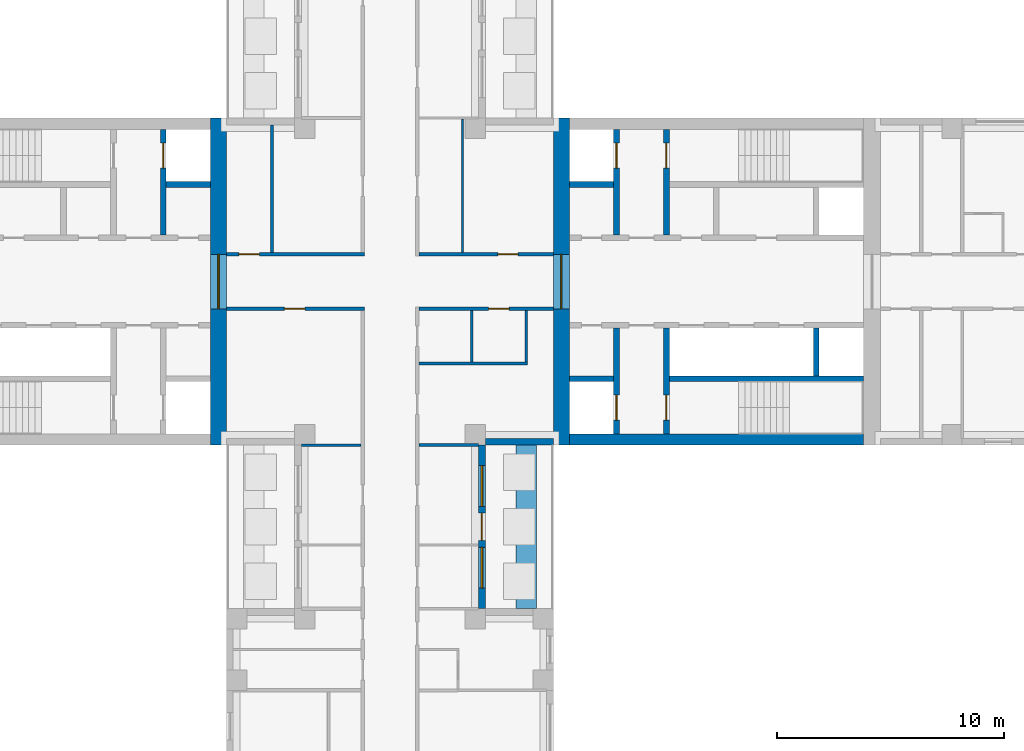
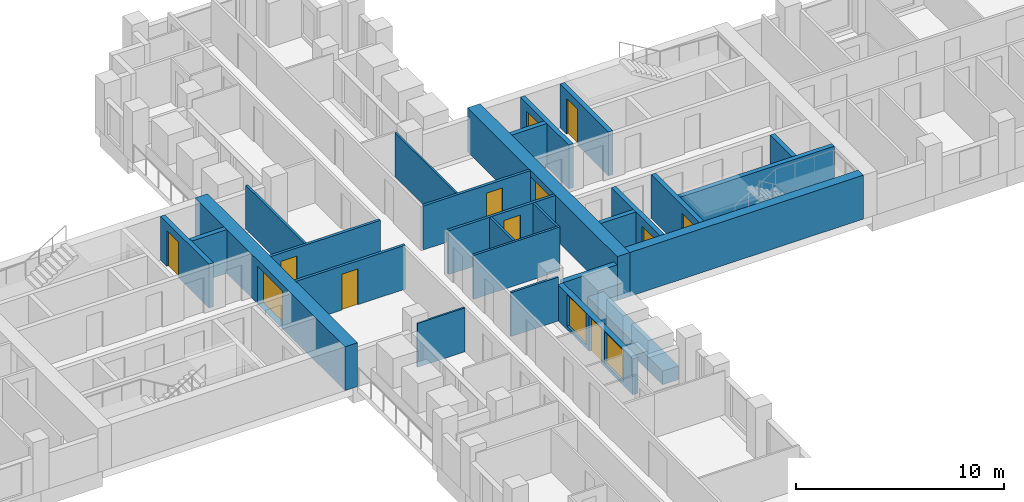
# One storey, part 7 of 13: 27 walls, 12 doors, 2 windows, 14 openings.
"""IFC4 building model written with IfcOpenShell, lengths in metres."""

from ifc_helpers import new_model, si_unit, direction, frame, frame_2d, origin, place, context, subcontext, project, spatial, rectangle, extrude, material, layer, layer_set, type_object, element, fill, save


model = new_model("IFC4")

# Units and contexts
model_context = context("Model", 3, precision=1e-05, world=origin(), true_north=direction((0.0, 1.0)))
body_context = subcontext(model_context, "Body", "Model", "MODEL_VIEW")
ifc_project = project(units=[si_unit("LENGTHUNIT", "METRE"), si_unit("AREAUNIT", "SQUARE_METRE"), si_unit("VOLUMEUNIT", "CUBIC_METRE"), si_unit("PLANEANGLEUNIT", "RADIAN"), si_unit("MASSUNIT", "GRAM", prefix="KILO")], contexts=[model_context])

# Site, building, storey
site_placement = place(None, origin())
site = spatial("IfcSite", under=ifc_project, at=site_placement, CompositionType="ELEMENT")
building_placement = place(site_placement, origin())
building = spatial("IfcBuilding", under=site, at=building_placement, Name="Fustian Cross Tower", CompositionType="ELEMENT")
storey_placement = place(building_placement, frame((0.0, 0.0, 75.89990234375)))
storey = spatial("IfcBuildingStorey", under=building, at=storey_placement, Name="L23", CompositionType="ELEMENT", Elevation=75.89990234375)

# Wall, opening, door
ifc_material_1 = material(Name="Plasterboard on steel stud", Category="steel")
ifc_layer_1 = layer(ifc_material_1, 0.14990234375)
ifc_layer_set_1 = layer_set([ifc_layer_1], Name="Plasterboard on steel stud")
wall_type_1 = type_object("IfcWallType", Name="COMPARTMENT WALL 150 EI 60", PredefinedType="PARTITIONING", material=ifc_layer_set_1)
wall_1_placement = place(storey_placement, frame((-7.199951171875, -1.199951171875, 0.0), z_axis=(0.0, 0.0, 1.0), x_axis=(1.0, 0.0, 0.0)))
wall_1 = element("IfcWall", 1, at=wall_1_placement, inside=storey, type_object=wall_type_1, Name="Partition 11", PredefinedType="PARTITIONING", context=body_context, shape_type="SweptSolid", body=[
    extrude(rectangle(XDim=6.074951171875, YDim=0.14990234375, at=frame_2d((3.03759765625, 0.0))), origin(), (0.0, 0.0, 1.0), 2.5751953125),
])
opening_1_placement = place(wall_1_placement, frame((2.550048828125, 0.0, 0.0)))
opening_1 = element("IfcOpeningElement", 2, at=opening_1_placement, cuts=wall_1, Name="Opening D12008", PredefinedType="OPENING", context=body_context, shape_type="SweptSolid", body=[
    extrude(rectangle(XDim=0.89990234375, YDim=2.10009765625, at=frame_2d((0.449951171875, 1.050048828125))), frame((0.0, 0.0849609375, 0.0), z_axis=(0.0, -1.0, 0.0), x_axis=(1.0, 0.0, 0.0)), (0.0, 0.0, 1.0), 0.169921875),
])
ifc_material_2 = material(Name="Timber fire door set", Category="wood")
door_type_1 = type_object("IfcDoorType", Name="FIRE SWING DOOR 900 FD30S", OperationType="SINGLE_SWING_LEFT", PredefinedType="DOOR", material=ifc_material_2)
door_1_placement = place(opening_1_placement, frame((0.89990234375, 0.0, 0.0), z_axis=(0.0, 0.0, 1.0), x_axis=(-1.0, 0.0, 0.0)))
door_1 = element("IfcDoor", 3, at=door_1_placement, inside=storey, type_object=door_type_1, Name="Door D12008", OperationType="SINGLE_SWING_RIGHT", OverallHeight=2.10009765625, OverallWidth=0.89990234375, PredefinedType="DOOR", context=body_context, shape_type="SweptSolid", body=[
    extrude(rectangle(XDim=0.89990234375, YDim=2.10009765625, at=frame_2d((0.449951171875, 1.050048828125))), frame((0.0, 0.02490234375, 0.0), z_axis=(0.0, -1.0, 0.0), x_axis=(1.0, 0.0, 0.0)), (0.0, 0.0, 1.0), 0.050048828125),
])
fill(opening_1, door_1)

wall_2_placement = place(storey_placement, frame((-7.199951171875, 1.199951171875, 0.0), z_axis=(0.0, 0.0, 1.0), x_axis=(1.0, 0.0, 0.0)))
wall_2 = element("IfcWall", 4, at=wall_2_placement, inside=storey, type_object=wall_type_1, Name="Partition 12", PredefinedType="PARTITIONING", context=body_context, shape_type="SweptSolid", body=[
    extrude(rectangle(XDim=6.074951171875, YDim=0.14990234375, at=frame_2d((3.03759765625, 0.0))), origin(), (0.0, 0.0, 1.0), 2.5751953125),
])
opening_2_placement = place(wall_2_placement, frame((0.550048828125, 0.0, 0.0)))
opening_2 = element("IfcOpeningElement", 5, at=opening_2_placement, cuts=wall_2, Name="Opening D12004", PredefinedType="OPENING", context=body_context, shape_type="SweptSolid", body=[
    extrude(rectangle(XDim=0.89990234375, YDim=2.10009765625, at=frame_2d((0.449951171875, 1.050048828125))), frame((0.0, 0.0849609375, 0.0), z_axis=(0.0, -1.0, 0.0), x_axis=(1.0, 0.0, 0.0)), (0.0, 0.0, 1.0), 0.169921875),
])
door_2_placement = place(opening_2_placement, origin())
door_2 = element("IfcDoor", 6, at=door_2_placement, inside=storey, type_object=door_type_1, Name="Door D12004", OperationType="SINGLE_SWING_LEFT", OverallHeight=2.10009765625, OverallWidth=0.89990234375, PredefinedType="DOOR", context=body_context, shape_type="SweptSolid", body=[
    extrude(rectangle(XDim=0.89990234375, YDim=2.10009765625, at=frame_2d((0.449951171875, 1.050048828125))), frame((0.0, 0.02490234375, 0.0), z_axis=(0.0, -1.0, 0.0), x_axis=(1.0, 0.0, 0.0)), (0.0, 0.0, 1.0), 0.050048828125),
])
fill(opening_2, door_2)

wall_3_placement = place(storey_placement, frame((1.27490234375, -1.199951171875, 0.0), z_axis=(0.0, 0.0, 1.0), x_axis=(1.0, 0.0, 0.0)))
wall_3 = element("IfcWall", 7, at=wall_3_placement, inside=storey, type_object=wall_type_1, Name="Partition 45", PredefinedType="PARTITIONING", context=body_context, shape_type="SweptSolid", body=[
    extrude(rectangle(XDim=5.925048828125, YDim=0.14990234375, at=frame_2d((2.96240234375, 0.0))), origin(), (0.0, 0.0, 1.0), 2.5751953125),
])
opening_3_placement = place(wall_3_placement, frame((3.074951171875, 0.0, 0.0)))
opening_3 = element("IfcOpeningElement", 8, at=opening_3_placement, cuts=wall_3, Name="Opening D12006", PredefinedType="OPENING", context=body_context, shape_type="SweptSolid", body=[
    extrude(rectangle(XDim=0.89990234375, YDim=2.10009765625, at=frame_2d((0.449951171875, 1.050048828125))), frame((0.0, 0.0849609375, 0.0), z_axis=(0.0, -1.0, 0.0), x_axis=(1.0, 0.0, 0.0)), (0.0, 0.0, 1.0), 0.169921875),
])
door_3_placement = place(opening_3_placement, frame((0.89990234375, 0.0, 0.0), z_axis=(0.0, 0.0, 1.0), x_axis=(-1.0, 0.0, 0.0)))
door_3 = element("IfcDoor", 9, at=door_3_placement, inside=storey, type_object=door_type_1, Name="Door D12006", OperationType="SINGLE_SWING_RIGHT", OverallHeight=2.10009765625, OverallWidth=0.89990234375, PredefinedType="DOOR", context=body_context, shape_type="SweptSolid", body=[
    extrude(rectangle(XDim=0.89990234375, YDim=2.10009765625, at=frame_2d((0.449951171875, 1.050048828125))), frame((0.0, 0.02490234375, 0.0), z_axis=(0.0, -1.0, 0.0), x_axis=(1.0, 0.0, 0.0)), (0.0, 0.0, 1.0), 0.050048828125),
])
fill(opening_3, door_3)

wall_4_placement = place(storey_placement, frame((1.27490234375, 1.199951171875, 0.0), z_axis=(0.0, 0.0, 1.0), x_axis=(1.0, 0.0, 0.0)))
wall_4 = element("IfcWall", 10, at=wall_4_placement, inside=storey, type_object=wall_type_1, Name="Partition 47", PredefinedType="PARTITIONING", context=body_context, shape_type="SweptSolid", body=[
    extrude(rectangle(XDim=5.925048828125, YDim=0.14990234375, at=frame_2d((2.96240234375, 0.0))), origin(), (0.0, 0.0, 1.0), 2.5751953125),
])
opening_4_placement = place(wall_4_placement, frame((3.47509765625, 0.0, 0.0)))
opening_4 = element("IfcOpeningElement", 11, at=opening_4_placement, cuts=wall_4, Name="Opening D12002", PredefinedType="OPENING", context=body_context, shape_type="SweptSolid", body=[
    extrude(rectangle(XDim=0.89990234375, YDim=2.10009765625, at=frame_2d((0.449951171875, 1.050048828125))), frame((0.0, 0.0849609375, 0.0), z_axis=(0.0, -1.0, 0.0), x_axis=(1.0, 0.0, 0.0)), (0.0, 0.0, 1.0), 0.169921875),
])
door_4_placement = place(opening_4_placement, origin())
door_4 = element("IfcDoor", 12, at=door_4_placement, inside=storey, type_object=door_type_1, Name="Door D12002", OperationType="SINGLE_SWING_LEFT", OverallHeight=2.10009765625, OverallWidth=0.89990234375, PredefinedType="DOOR", context=body_context, shape_type="SweptSolid", body=[
    extrude(rectangle(XDim=0.89990234375, YDim=2.10009765625, at=frame_2d((0.449951171875, 1.050048828125))), frame((0.0, 0.02490234375, 0.0), z_axis=(0.0, -1.0, 0.0), x_axis=(1.0, 0.0, 0.0)), (0.0, 0.0, 1.0), 0.050048828125),
])
fill(opening_4, door_4)

ifc_material_3 = material(Name="Concrete C70/85", Category="concrete")
ifc_layer_2 = layer(ifc_material_3, 0.699951171875)
ifc_layer_set_2 = layer_set([ifc_layer_2], Name="Concrete C70/85")
wall_type_2 = type_object("IfcWallType", Name="CORE END WALL 700 C70/85", PredefinedType="SHEAR", material=ifc_layer_set_2)
wall_5_placement = place(storey_placement, frame((7.550048828125, -7.199951171875, 0.0), z_axis=(0.0, 0.0, 1.0), x_axis=(0.0, 1.0, 0.0)))
wall_5 = element("IfcWall", 13, at=wall_5_placement, inside=storey, type_object=wall_type_2, Name="Core end wall", PredefinedType="SHEAR", context=body_context, shape_type="SweptSolid", body=[
    extrude(rectangle(XDim=14.39990234375, YDim=0.699951171875, at=frame_2d((7.199951171875, 0.0))), origin(), (0.0, 0.0, 1.0), 2.5751953125),
])
opening_5_placement = place(wall_5_placement, frame((6.0, 0.0, 0.0)))
opening_5 = element("IfcOpeningElement", 14, at=opening_5_placement, cuts=wall_5, Name="Opening CD-10-12", PredefinedType="OPENING", context=body_context, shape_type="SweptSolid", body=[
    extrude(rectangle(XDim=2.39990234375, YDim=2.199951171875, at=frame_2d((1.199951171875, 1.10009765625))), frame((0.0, 0.35986328125, 0.0), z_axis=(0.0, -1.0, 0.0), x_axis=(1.0, 0.0, 0.0)), (0.0, 0.0, 1.0), 0.719970703125),
])
ifc_material_4 = material(Name="Steel", Category="steel")
door_type_2 = type_object("IfcDoorType", Name="FIRE DOOR FD30S DOUBLE 2400X2200", OperationType="DOUBLE_DOOR_DOUBLE_SWING", PredefinedType="DOOR", material=ifc_material_4)
door_5_placement = place(opening_5_placement, frame((2.39990234375, 0.0, 0.0), z_axis=(0.0, 0.0, 1.0), x_axis=(-1.0, 0.0, 0.0)))
door_5 = element("IfcDoor", 15, at=door_5_placement, inside=storey, type_object=door_type_2, Name="Core door CD-10-12", OperationType="DOUBLE_DOOR_DOUBLE_SWING", OverallHeight=2.199951171875, OverallWidth=2.39990234375, PredefinedType="DOOR", context=body_context, shape_type="SweptSolid", body=[
    extrude(rectangle(XDim=2.39990234375, YDim=2.199951171875, at=frame_2d((1.199951171875, 1.10009765625))), frame((0.0, 0.02490234375, 0.0), z_axis=(0.0, -1.0, 0.0), x_axis=(1.0, 0.0, 0.0)), (0.0, 0.0, 1.0), 0.050048828125),
])
fill(opening_5, door_5)

wall_6_placement = place(storey_placement, frame((-7.550048828125, -7.199951171875, 0.0), z_axis=(0.0, 0.0, 1.0), x_axis=(0.0, 1.0, 0.0)))
wall_6 = element("IfcWall", 16, at=wall_6_placement, inside=storey, type_object=wall_type_2, Name="Core end wall", PredefinedType="SHEAR", context=body_context, shape_type="SweptSolid", body=[
    extrude(rectangle(XDim=14.39990234375, YDim=0.699951171875, at=frame_2d((7.199951171875, 0.0))), origin(), (0.0, 0.0, 1.0), 2.5751953125),
])
opening_6_placement = place(wall_6_placement, frame((6.0, 0.0, 0.0)))
opening_6 = element("IfcOpeningElement", 17, at=opening_6_placement, cuts=wall_6, Name="Opening CD-10-27", PredefinedType="OPENING", context=body_context, shape_type="SweptSolid", body=[
    extrude(rectangle(XDim=2.39990234375, YDim=2.199951171875, at=frame_2d((1.199951171875, 1.10009765625))), frame((0.0, 0.35986328125, 0.0), z_axis=(0.0, -1.0, 0.0), x_axis=(1.0, 0.0, 0.0)), (0.0, 0.0, 1.0), 0.719970703125),
])
door_6_placement = place(opening_6_placement, origin())
door_6 = element("IfcDoor", 18, at=door_6_placement, inside=storey, type_object=door_type_2, Name="Core door CD-10-27", OperationType="DOUBLE_DOOR_DOUBLE_SWING", OverallHeight=2.199951171875, OverallWidth=2.39990234375, PredefinedType="DOOR", context=body_context, shape_type="SweptSolid", body=[
    extrude(rectangle(XDim=2.39990234375, YDim=2.199951171875, at=frame_2d((1.199951171875, 1.10009765625))), frame((0.0, 0.02490234375, 0.0), z_axis=(0.0, -1.0, 0.0), x_axis=(1.0, 0.0, 0.0)), (0.0, 0.0, 1.0), 0.050048828125),
])
fill(opening_6, door_6)

# Walls
ifc_material_5 = material(Name="Concrete C70/85", Category="concrete")
ifc_layer_3 = layer(ifc_material_5, 0.5)
ifc_layer_set_3 = layer_set([ifc_layer_3], Name="Concrete C70/85")
wall_type_3 = type_object("IfcWallType", Name="CORE FACADE WALL 500 C70/85", PredefinedType="SHEAR", material=ifc_layer_set_3)
wall_7_placement = place(storey_placement, frame((7.89990234375, -6.949951171875, 0.0), z_axis=(0.0, 0.0, 1.0), x_axis=(1.0, 0.0, 0.0)))
element("IfcWall", 19, at=wall_7_placement, inside=storey, type_object=wall_type_3, Name="Core facade wall", PredefinedType="SHEAR", context=body_context, shape_type="SweptSolid", body=[
    extrude(rectangle(XDim=12.9501953125, YDim=0.5, at=frame_2d((6.47509765625, 0.0))), origin(), (0.0, 0.0, 1.0), 2.5751953125),
])
ifc_material_6 = material(Name="Concrete C50/60", Category="concrete")
ifc_layer_4 = layer(ifc_material_6, 0.25)
ifc_layer_set_4 = layer_set([ifc_layer_4], Name="Concrete C50/60")
wall_type_4 = type_object("IfcWallType", Name="CORE SHAFT WALL 250 C50/60", PredefinedType="SHEAR", material=ifc_layer_set_4)
wall_8_placement = place(storey_placement, frame((7.89990234375, 4.27490234375, 0.0), z_axis=(0.0, 0.0, 1.0), x_axis=(1.0, 0.0, 0.0)))
element("IfcWall", 20, at=wall_8_placement, inside=storey, type_object=wall_type_4, Name="Core shaft wall", PredefinedType="SHEAR", context=body_context, shape_type="SweptSolid", body=[
    extrude(rectangle(XDim=1.9501953125, YDim=0.25, at=frame_2d((0.97509765625, 0.0))), origin(), (0.0, 0.0, 1.0), 2.5751953125),
])

# Wall, opening, door
wall_9_placement = place(storey_placement, frame((9.97509765625, 2.050048828125, 0.0), z_axis=(0.0, 0.0, 1.0), x_axis=(0.0, 1.0, 0.0)))
wall_9 = element("IfcWall", 21, at=wall_9_placement, inside=storey, type_object=wall_type_4, Name="Core shaft wall", PredefinedType="SHEAR", context=body_context, shape_type="SweptSolid", body=[
    extrude(rectangle(XDim=4.64990234375, YDim=0.25, at=frame_2d((2.324951171875, 0.0))), origin(), (0.0, 0.0, 1.0), 2.5751953125),
])
opening_7_placement = place(wall_9_placement, frame((2.949951171875, 0.0, 0.0)))
opening_7 = element("IfcOpeningElement", 22, at=opening_7_placement, cuts=wall_9, Name="Opening LD", PredefinedType="OPENING", context=body_context, shape_type="SweptSolid", body=[
    extrude(rectangle(XDim=1.10009765625, YDim=2.10009765625, at=frame_2d((0.550048828125, 1.050048828125))), frame((0.0, 0.135009765625, 0.0), z_axis=(0.0, -1.0, 0.0), x_axis=(1.0, 0.0, 0.0)), (0.0, 0.0, 1.0), 0.27001953125),
])
ifc_material_7 = material(Name="Stainless steel", Category="steel")
door_type_3 = type_object("IfcDoorType", Name="LIFT LANDING DOOR 1100X2100", OperationType="SLIDING_TO_LEFT", PredefinedType="DOOR", material=ifc_material_7)
door_7_placement = place(opening_7_placement, origin())
door_7 = element("IfcDoor", 23, at=door_7_placement, inside=storey, type_object=door_type_3, Name="Landing door FL1", OperationType="SLIDING_TO_LEFT", OverallHeight=2.10009765625, OverallWidth=1.10009765625, PredefinedType="DOOR", context=body_context, shape_type="SweptSolid", body=[
    extrude(rectangle(XDim=1.10009765625, YDim=2.10009765625, at=frame_2d((0.550048828125, 1.050048828125))), frame((0.0, 0.02490234375, 0.0), z_axis=(0.0, -1.0, 0.0), x_axis=(1.0, 0.0, 0.0)), (0.0, 0.0, 1.0), 0.050048828125),
])
fill(opening_7, door_7)

wall_10_placement = place(storey_placement, frame((12.175048828125, 2.050048828125, 0.0), z_axis=(0.0, 0.0, 1.0), x_axis=(0.0, 1.0, 0.0)))
wall_10 = element("IfcWall", 24, at=wall_10_placement, inside=storey, type_object=wall_type_4, Name="Core shaft wall", PredefinedType="SHEAR", context=body_context, shape_type="SweptSolid", body=[
    extrude(rectangle(XDim=4.64990234375, YDim=0.25, at=frame_2d((2.324951171875, 0.0))), origin(), (0.0, 0.0, 1.0), 2.5751953125),
])
opening_8_placement = place(wall_10_placement, frame((2.949951171875, 0.0, 0.0)))
opening_8 = element("IfcOpeningElement", 25, at=opening_8_placement, cuts=wall_10, Name="Opening CD-10-06", PredefinedType="OPENING", context=body_context, shape_type="SweptSolid", body=[
    extrude(rectangle(XDim=1.10009765625, YDim=2.10009765625, at=frame_2d((0.550048828125, 1.050048828125))), frame((0.0, 0.135009765625, 0.0), z_axis=(0.0, -1.0, 0.0), x_axis=(1.0, 0.0, 0.0)), (0.0, 0.0, 1.0), 0.27001953125),
])
ifc_material_8 = material(Name="Steel", Category="steel")
door_type_4 = type_object("IfcDoorType", Name="FIRE DOOR FD60S 1100X2100", OperationType="SINGLE_SWING_LEFT", PredefinedType="DOOR", material=ifc_material_8)
door_8_placement = place(opening_8_placement, frame((1.10009765625, 0.0, 0.0), z_axis=(0.0, 0.0, 1.0), x_axis=(-1.0, 0.0, 0.0)))
door_8 = element("IfcDoor", 26, at=door_8_placement, inside=storey, type_object=door_type_4, Name="Core door CD-10-06", OperationType="SINGLE_SWING_RIGHT", OverallHeight=2.10009765625, OverallWidth=1.10009765625, PredefinedType="DOOR", context=body_context, shape_type="SweptSolid", body=[
    extrude(rectangle(XDim=1.10009765625, YDim=2.10009765625, at=frame_2d((0.550048828125, 1.050048828125))), frame((0.0, 0.02490234375, 0.0), z_axis=(0.0, -1.0, 0.0), x_axis=(1.0, 0.0, 0.0)), (0.0, 0.0, 1.0), 0.050048828125),
])
fill(opening_8, door_8)

# Walls
wall_11_placement = place(storey_placement, frame((7.89990234375, -4.27490234375, 0.0), z_axis=(0.0, 0.0, 1.0), x_axis=(1.0, 0.0, 0.0)))
element("IfcWall", 27, at=wall_11_placement, inside=storey, type_object=wall_type_4, Name="Core shaft wall", PredefinedType="SHEAR", context=body_context, shape_type="SweptSolid", body=[
    extrude(rectangle(XDim=1.9501953125, YDim=0.25, at=frame_2d((0.97509765625, 0.0))), origin(), (0.0, 0.0, 1.0), 2.5751953125),
])
wall_12_placement = place(storey_placement, frame((12.300048828125, -4.27490234375, 0.0), z_axis=(0.0, 0.0, 1.0), x_axis=(1.0, 0.0, 0.0)))
element("IfcWall", 28, at=wall_12_placement, inside=storey, type_object=wall_type_4, Name="Core shaft wall", PredefinedType="SHEAR", context=body_context, shape_type="SweptSolid", body=[
    extrude(rectangle(XDim=8.550048828125, YDim=0.25, at=frame_2d((4.27490234375, 0.0))), origin(), (0.0, 0.0, 1.0), 2.5751953125),
])

# Wall, opening, door
wall_13_placement = place(storey_placement, frame((9.97509765625, -2.050048828125, 0.0), z_axis=(0.0, 0.0, 1.0), x_axis=(0.0, -1.0, 0.0)))
wall_13 = element("IfcWall", 29, at=wall_13_placement, inside=storey, type_object=wall_type_4, Name="Core shaft wall", PredefinedType="SHEAR", context=body_context, shape_type="SweptSolid", body=[
    extrude(rectangle(XDim=4.64990234375, YDim=0.25, at=frame_2d((2.324951171875, 0.0))), origin(), (0.0, 0.0, 1.0), 2.5751953125),
])
opening_9_placement = place(wall_13_placement, frame((2.949951171875, 0.0, 0.0)))
opening_9 = element("IfcOpeningElement", 30, at=opening_9_placement, cuts=wall_13, Name="Opening LD", PredefinedType="OPENING", context=body_context, shape_type="SweptSolid", body=[
    extrude(rectangle(XDim=1.10009765625, YDim=2.10009765625, at=frame_2d((0.550048828125, 1.050048828125))), frame((0.0, 0.135009765625, 0.0), z_axis=(0.0, -1.0, 0.0), x_axis=(1.0, 0.0, 0.0)), (0.0, 0.0, 1.0), 0.27001953125),
])
door_9_placement = place(opening_9_placement, origin())
door_9 = element("IfcDoor", 31, at=door_9_placement, inside=storey, type_object=door_type_3, Name="Landing door SV1", OperationType="SLIDING_TO_LEFT", OverallHeight=2.10009765625, OverallWidth=1.10009765625, PredefinedType="DOOR", context=body_context, shape_type="SweptSolid", body=[
    extrude(rectangle(XDim=1.10009765625, YDim=2.10009765625, at=frame_2d((0.550048828125, 1.050048828125))), frame((0.0, 0.02490234375, 0.0), z_axis=(0.0, -1.0, 0.0), x_axis=(1.0, 0.0, 0.0)), (0.0, 0.0, 1.0), 0.050048828125),
])
fill(opening_9, door_9)

wall_14_placement = place(storey_placement, frame((12.175048828125, -2.050048828125, 0.0), z_axis=(0.0, 0.0, 1.0), x_axis=(0.0, -1.0, 0.0)))
wall_14 = element("IfcWall", 32, at=wall_14_placement, inside=storey, type_object=wall_type_4, Name="Core shaft wall", PredefinedType="SHEAR", context=body_context, shape_type="SweptSolid", body=[
    extrude(rectangle(XDim=4.64990234375, YDim=0.25, at=frame_2d((2.324951171875, 0.0))), origin(), (0.0, 0.0, 1.0), 2.5751953125),
])
opening_10_placement = place(wall_14_placement, frame((2.949951171875, 0.0, 0.0)))
opening_10 = element("IfcOpeningElement", 33, at=opening_10_placement, cuts=wall_14, Name="Opening CD-10-07", PredefinedType="OPENING", context=body_context, shape_type="SweptSolid", body=[
    extrude(rectangle(XDim=1.10009765625, YDim=2.10009765625, at=frame_2d((0.550048828125, 1.050048828125))), frame((0.0, 0.135009765625, 0.0), z_axis=(0.0, -1.0, 0.0), x_axis=(1.0, 0.0, 0.0)), (0.0, 0.0, 1.0), 0.27001953125),
])
door_10_placement = place(opening_10_placement, origin())
door_10 = element("IfcDoor", 34, at=door_10_placement, inside=storey, type_object=door_type_4, Name="Core door CD-10-07", OperationType="SINGLE_SWING_LEFT", OverallHeight=2.10009765625, OverallWidth=1.10009765625, PredefinedType="DOOR", context=body_context, shape_type="SweptSolid", body=[
    extrude(rectangle(XDim=1.10009765625, YDim=2.10009765625, at=frame_2d((0.550048828125, 1.050048828125))), frame((0.0, 0.02490234375, 0.0), z_axis=(0.0, -1.0, 0.0), x_axis=(1.0, 0.0, 0.0)), (0.0, 0.0, 1.0), 0.050048828125),
])
fill(opening_10, door_10)

# Wall
wall_15_placement = place(storey_placement, frame((-7.89990234375, 4.27490234375, 0.0), z_axis=(0.0, 0.0, 1.0), x_axis=(-1.0, 0.0, 0.0)))
element("IfcWall", 35, at=wall_15_placement, inside=storey, type_object=wall_type_4, Name="Core shaft wall", PredefinedType="SHEAR", context=body_context, shape_type="SweptSolid", body=[
    extrude(rectangle(XDim=1.9501953125, YDim=0.25, at=frame_2d((0.97509765625, 0.0))), origin(), (0.0, 0.0, 1.0), 2.5751953125),
])

# Wall, opening, door
wall_16_placement = place(storey_placement, frame((-9.97509765625, 2.050048828125, 0.0), z_axis=(0.0, 0.0, 1.0), x_axis=(0.0, 1.0, 0.0)))
wall_16 = element("IfcWall", 36, at=wall_16_placement, inside=storey, type_object=wall_type_4, Name="Core shaft wall", PredefinedType="SHEAR", context=body_context, shape_type="SweptSolid", body=[
    extrude(rectangle(XDim=4.64990234375, YDim=0.25, at=frame_2d((2.324951171875, 0.0))), origin(), (0.0, 0.0, 1.0), 2.5751953125),
])
opening_11_placement = place(wall_16_placement, frame((2.949951171875, 0.0, 0.0)))
opening_11 = element("IfcOpeningElement", 37, at=opening_11_placement, cuts=wall_16, Name="Opening LD", PredefinedType="OPENING", context=body_context, shape_type="SweptSolid", body=[
    extrude(rectangle(XDim=1.10009765625, YDim=2.10009765625, at=frame_2d((0.550048828125, 1.050048828125))), frame((0.0, 0.135009765625, 0.0), z_axis=(0.0, -1.0, 0.0), x_axis=(1.0, 0.0, 0.0)), (0.0, 0.0, 1.0), 0.27001953125),
])
door_11_placement = place(opening_11_placement, origin())
door_11 = element("IfcDoor", 38, at=door_11_placement, inside=storey, type_object=door_type_3, Name="Landing door FL1W", OperationType="SLIDING_TO_LEFT", OverallHeight=2.10009765625, OverallWidth=1.10009765625, PredefinedType="DOOR", context=body_context, shape_type="SweptSolid", body=[
    extrude(rectangle(XDim=1.10009765625, YDim=2.10009765625, at=frame_2d((0.550048828125, 1.050048828125))), frame((0.0, 0.02490234375, 0.0), z_axis=(0.0, -1.0, 0.0), x_axis=(1.0, 0.0, 0.0)), (0.0, 0.0, 1.0), 0.050048828125),
])
fill(opening_11, door_11)

# Walls
ifc_material_9 = material(Name="Plasterboard on steel stud", Category="steel")
ifc_layer_5 = layer(ifc_material_9, 0.10009765625)
ifc_layer_set_5 = layer_set([ifc_layer_5], Name="Plasterboard on steel stud")
wall_type_5 = type_object("IfcWallType", Name="PARTITION 100 STUD", PredefinedType="PARTITIONING", material=ifc_layer_set_5)
wall_17_placement = place(storey_placement, frame((-3.89990234375, -7.199951171875, 0.0), z_axis=(0.0, 0.0, 1.0), x_axis=(1.0, 0.0, 0.0)))
element("IfcWall", 39, at=wall_17_placement, inside=storey, type_object=wall_type_5, Name="Partition 27", PredefinedType="PARTITIONING", context=body_context, shape_type="SweptSolid", body=[
    extrude(rectangle(XDim=2.625, YDim=0.10009765625, at=frame_2d((1.3125, 0.0))), origin(), (0.0, 0.0, 1.0), 2.5751953125),
])
wall_18_placement = place(storey_placement, frame((3.199951171875, 1.27490234375, 0.0), z_axis=(0.0, 0.0, 1.0), x_axis=(0.0, 1.0, 0.0)))
element("IfcWall", 40, at=wall_18_placement, inside=storey, type_object=wall_type_5, Name="Partition 52", PredefinedType="PARTITIONING", context=body_context, shape_type="SweptSolid", body=[
    extrude(rectangle(XDim=5.875, YDim=0.10009765625, at=frame_2d((2.9375, 0.0))), origin(), (0.0, 0.0, 1.0), 2.5751953125),
])
ifc_material_10 = material(Name="Concrete C40/50", Category="concrete")
ifc_layer_6 = layer(ifc_material_10, 0.89990234375)
ifc_layer_set_6 = layer_set([ifc_layer_6], Name="Concrete C40/50")
wall_type_6 = type_object("IfcWallType", Name="PK1 PLANTER 900", PredefinedType="PARAPET", material=ifc_layer_set_6)
wall_19_placement = place(storey_placement, frame((6.0, -14.39990234375, 0.0), z_axis=(0.0, 0.0, 1.0), x_axis=(0.0, 1.0, 0.0)))
element("IfcWall", 41, at=wall_19_placement, inside=storey, type_object=wall_type_6, Name="PLANTER", PredefinedType="PARAPET", context=body_context, shape_type="SweptSolid", body=[
    extrude(rectangle(XDim=7.199951171875, YDim=0.89990234375, at=frame_2d((3.60009765625, 0.0))), origin(), (0.0, 0.0, 1.0), 0.800048828125),
])
ifc_material_11 = material(Name="Concrete C40/50", Category="concrete")
ifc_layer_7 = layer(ifc_material_11, 0.25)
ifc_layer_set_7 = layer_set([ifc_layer_7], Name="Concrete C40/50")
wall_type_7 = type_object("IfcWallType", Name="SHAFT PARTITION WALL 250 C40/50", PredefinedType="PARTITIONING", material=ifc_layer_set_7)
wall_20_placement = place(storey_placement, frame((18.77490234375, -2.050048828125, 0.0), z_axis=(0.0, 0.0, 1.0), x_axis=(0.0, -1.0, 0.0)))
element("IfcWall", 42, at=wall_20_placement, inside=storey, type_object=wall_type_7, Name="Core shaft wall", PredefinedType="PARTITIONING", context=body_context, shape_type="SweptSolid", body=[
    extrude(rectangle(XDim=2.099853515625, YDim=0.25, at=frame_2d((1.0498046875, 0.0))), origin(), (0.0, 0.0, 1.0), 2.5751953125),
])
ifc_material_12 = material(Name="Plasterboard on steel stud", Category="steel")
ifc_layer_8 = layer(ifc_material_12, 0.125)
ifc_layer_set_8 = layer_set([ifc_layer_8], Name="Plasterboard on steel stud")
wall_type_8 = type_object("IfcWallType", Name="WET WALL 125 STUD", PredefinedType="PARTITIONING", material=ifc_layer_set_8)
wall_21_placement = place(storey_placement, frame((-5.199951171875, 1.27490234375, 0.0), z_axis=(0.0, 0.0, 1.0), x_axis=(0.0, 1.0, 0.0)))
element("IfcWall", 43, at=wall_21_placement, inside=storey, type_object=wall_type_8, Name="Partition 19", PredefinedType="PARTITIONING", context=body_context, shape_type="SweptSolid", body=[
    extrude(rectangle(XDim=5.625, YDim=0.125, at=frame_2d((2.8125, 0.0))), origin(), (0.0, 0.0, 1.0), 2.5751953125),
])
wall_22_placement = place(storey_placement, frame((1.27490234375, -7.199951171875, 0.0), z_axis=(0.0, 0.0, 1.0), x_axis=(1.0, 0.0, 0.0)))
element("IfcWall", 44, at=wall_22_placement, inside=storey, type_object=wall_type_8, Name="Partition 43", PredefinedType="PARTITIONING", context=body_context, shape_type="SweptSolid", body=[
    extrude(rectangle(XDim=2.625, YDim=0.125, at=frame_2d((1.3125, 0.0))), origin(), (0.0, 0.0, 1.0), 2.5751953125),
])
wall_23_placement = place(storey_placement, frame((1.27490234375, -3.60009765625, 0.0), z_axis=(0.0, 0.0, 1.0), x_axis=(1.0, 0.0, 0.0)))
element("IfcWall", 45, at=wall_23_placement, inside=storey, type_object=wall_type_8, Name="Partition 44", PredefinedType="PARTITIONING", context=body_context, shape_type="SweptSolid", body=[
    extrude(rectangle(XDim=4.78759765625, YDim=0.125, at=frame_2d((2.393798828125, 0.0))), origin(), (0.0, 0.0, 1.0), 2.5751953125),
])
for number, where, z_axis, x_axis, name in (
    (46, (3.60009765625, -3.53759765625, 0.0), (0.0, 0.0, 1.0), (0.0, 1.0, 0.0), "Partition 53"),
    (47, (6.0, -3.53759765625, 0.0), (0.0, 0.0, 1.0), (0.0, 1.0, 0.0), "Partition 54"),
):
    element("IfcWall", number, at=place(storey_placement, frame(where, z_axis=z_axis, x_axis=x_axis)), inside=storey, type_object=wall_type_8, Name=name, PredefinedType="PARTITIONING", context=body_context, shape_type="SweptSolid", body=[
        extrude(rectangle(XDim=2.2626953125, YDim=0.125, at=frame_2d((1.13134765625, 0.0))), origin(), (0.0, 0.0, 1.0), 2.5751953125),
    ])

# Wall, openings, door, windows
ifc_material_13 = material(Name="Dark aluminium cladding on insulated backing wall", Category="aluminium")
ifc_layer_9 = layer(ifc_material_13, 0.300048828125)
ifc_layer_set_9 = layer_set([ifc_layer_9], Name="Dark aluminium cladding on insulated backing wall")
wall_type_9 = type_object("IfcWallType", Name="XW1 EXTERNAL WALL 300", PredefinedType="SOLIDWALL", material=ifc_layer_set_9)
wall_24_placement = place(storey_placement, frame((4.050048828125, -14.39990234375, 0.0), z_axis=(0.0, 0.0, 1.0), x_axis=(0.0, 1.0, 0.0)))
wall_24 = element("IfcWall", 48, at=wall_24_placement, inside=storey, type_object=wall_type_9, Name="External wall", PredefinedType="SOLIDWALL", context=body_context, shape_type="SweptSolid", body=[
    extrude(rectangle(XDim=7.199951171875, YDim=0.300048828125, at=frame_2d((3.60009765625, 0.0))), origin(), (0.0, 0.0, 1.0), 2.10009765625),
])
opening_12_placement = place(wall_24_placement, frame((3.0, 0.0, 0.0)))
opening_12 = element("IfcOpeningElement", 49, at=opening_12_placement, cuts=wall_24, Name="Opening XD3", PredefinedType="OPENING", context=body_context, shape_type="SweptSolid", body=[
    extrude(rectangle(XDim=1.199951171875, YDim=2.050048828125, at=frame_2d((0.60009765625, 1.02490234375))), frame((0.0, 0.159912109375, 0.0), z_axis=(0.0, -1.0, 0.0), x_axis=(1.0, 0.0, 0.0)), (0.0, 0.0, 1.0), 0.320068359375),
])
opening_13_placement = place(wall_24_placement, frame((0.89990234375, 0.0, 0.199951171875)))
opening_13 = element("IfcOpeningElement", 50, at=opening_13_placement, cuts=wall_24, Name="Opening WN2", PredefinedType="OPENING", context=body_context, shape_type="SweptSolid", body=[
    extrude(rectangle(XDim=1.800048828125, YDim=1.85009765625, at=frame_2d((0.89990234375, 0.925048828125))), frame((0.0, 0.159912109375, 0.0), z_axis=(0.0, -1.0, 0.0), x_axis=(1.0, 0.0, 0.0)), (0.0, 0.0, 1.0), 0.320068359375),
])
opening_14_placement = place(wall_24_placement, frame((4.5, 0.0, 0.199951171875)))
opening_14 = element("IfcOpeningElement", 51, at=opening_14_placement, cuts=wall_24, Name="Opening WN2", PredefinedType="OPENING", context=body_context, shape_type="SweptSolid", body=[
    extrude(rectangle(XDim=1.800048828125, YDim=1.85009765625, at=frame_2d((0.89990234375, 0.925048828125))), frame((0.0, 0.159912109375, 0.0), z_axis=(0.0, -1.0, 0.0), x_axis=(1.0, 0.0, 0.0)), (0.0, 0.0, 1.0), 0.320068359375),
])
ifc_material_14 = material(Name="Dark anodised aluminium and double glazing", Category="aluminium")
door_type_5 = type_object("IfcDoorType", Name="ED1 BALCONY DOOR 1200X2050", OperationType="SINGLE_SWING_LEFT", PredefinedType="DOOR", material=ifc_material_14)
door_12_placement = place(opening_12_placement, origin())
door_12 = element("IfcDoor", 52, at=door_12_placement, inside=storey, type_object=door_type_5, Name="Balcony door", OperationType="SINGLE_SWING_LEFT", OverallHeight=2.050048828125, OverallWidth=1.199951171875, PredefinedType="DOOR", context=body_context, shape_type="SweptSolid", body=[
    extrude(rectangle(XDim=1.199951171875, YDim=2.050048828125, at=frame_2d((0.60009765625, 1.02490234375))), frame((0.0, 0.02490234375, 0.0), z_axis=(0.0, -1.0, 0.0), x_axis=(1.0, 0.0, 0.0)), (0.0, 0.0, 1.0), 0.050048828125),
])
fill(opening_12, door_12)
ifc_material_15 = material(Name="Dark anodised aluminium and double glazing", Category="aluminium")
window_type = type_object("IfcWindowType", Name="WN2 WINDOW 1800X1850", PartitioningType="SINGLE_PANEL", PredefinedType="WINDOW", material=ifc_material_15)
window_1_placement = place(opening_13_placement, origin())
window_1 = element("IfcWindow", 53, at=window_1_placement, inside=storey, type_object=window_type, Name="Window", OverallHeight=1.85009765625, OverallWidth=1.800048828125, PartitioningType="SINGLE_PANEL", PredefinedType="WINDOW", context=body_context, shape_type="SweptSolid", body=[
    extrude(rectangle(XDim=1.800048828125, YDim=1.85009765625, at=frame_2d((0.89990234375, 0.925048828125))), frame((0.0, 0.030029296875, 0.0), z_axis=(0.0, -1.0, 0.0), x_axis=(1.0, 0.0, 0.0)), (0.0, 0.0, 1.0), 0.06005859375),
])
fill(opening_13, window_1)
window_2_placement = place(opening_14_placement, origin())
window_2 = element("IfcWindow", 54, at=window_2_placement, inside=storey, type_object=window_type, Name="Window", OverallHeight=1.85009765625, OverallWidth=1.800048828125, PartitioningType="SINGLE_PANEL", PredefinedType="WINDOW", context=body_context, shape_type="SweptSolid", body=[
    extrude(rectangle(XDim=1.800048828125, YDim=1.85009765625, at=frame_2d((0.89990234375, 0.925048828125))), frame((0.0, 0.030029296875, 0.0), z_axis=(0.0, -1.0, 0.0), x_axis=(1.0, 0.0, 0.0)), (0.0, 0.0, 1.0), 0.06005859375),
])
fill(opening_14, window_2)

# Wall
wall_25_placement = place(storey_placement, frame((4.199951171875, -7.050048828125, 0.0), z_axis=(0.0, 0.0, 1.0), x_axis=(1.0, 0.0, 0.0)))
element("IfcWall", 55, at=wall_25_placement, inside=storey, type_object=wall_type_9, Name="External wall", PredefinedType="SOLIDWALL", context=body_context, shape_type="SweptSolid", body=[
    extrude(rectangle(XDim=3.0, YDim=0.300048828125, at=frame_2d((1.5, 0.0))), origin(), (0.0, 0.0, 1.0), 2.10009765625),
])

save(model, "model.ifc")
